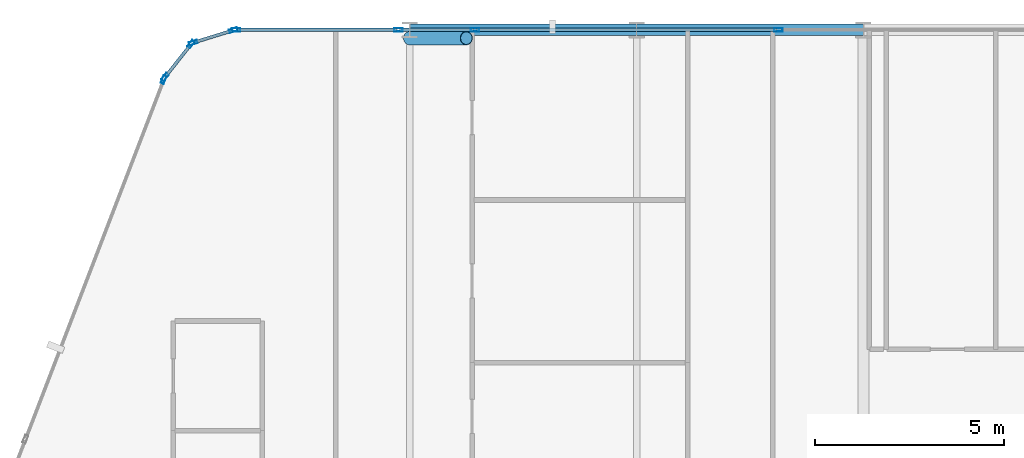
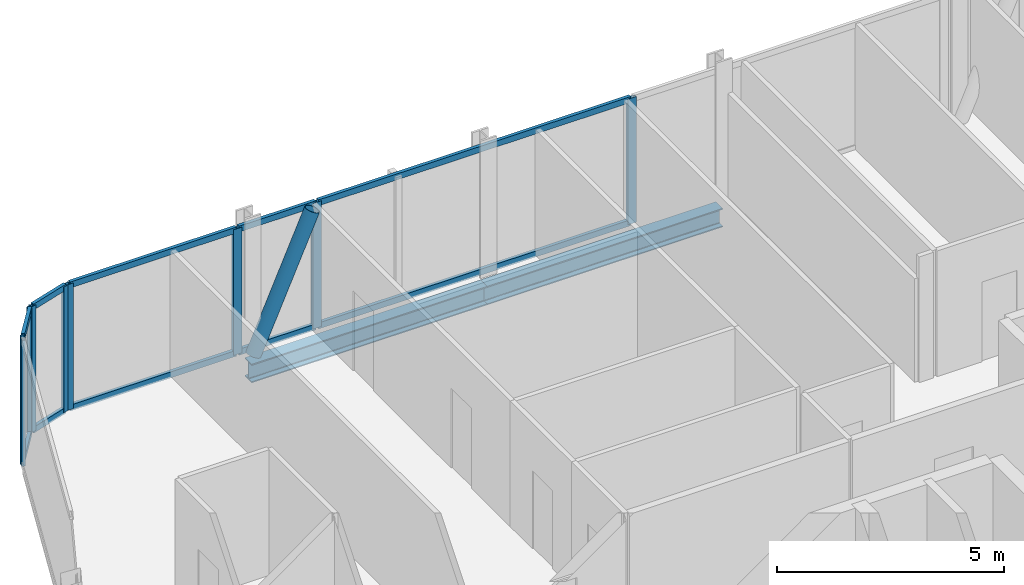
# One storey, part 13 of 34: 20 members, 2 beams, 6 elements without a shape of their own.
"""IFC4 building model written with IfcOpenShell, lengths in metres."""

from ifc_helpers import new_model, si_unit, direction, frame, origin, origin_2d, place, context, subcontext, project, spatial, hollow_rectangle, hollow_circle, i_section, extrude, material, layer, layer_set, material_profile, profile_set, type_object, element, aggregate, save


model = new_model("IFC4")

# Units and contexts
model_context = context("Model", 3, precision=1e-05, world=origin(), true_north=direction((0.0, 1.0)))
body_context = subcontext(model_context, "Body", "Model", "MODEL_VIEW")
ifc_project = project(units=[si_unit("LENGTHUNIT", "METRE"), si_unit("AREAUNIT", "SQUARE_METRE"), si_unit("VOLUMEUNIT", "CUBIC_METRE"), si_unit("PLANEANGLEUNIT", "RADIAN"), si_unit("MASSUNIT", "GRAM", prefix="KILO")], contexts=[model_context])

# Site, building, storey
site_placement = place(None, origin())
site = spatial("IfcSite", under=ifc_project, at=site_placement, CompositionType="ELEMENT")
building_placement = place(site_placement, origin())
building = spatial("IfcBuilding", under=site, at=building_placement, Name="Keshet Zoharim Tower", CompositionType="ELEMENT")
storey_placement = place(building_placement, frame((0.0, 0.0, 31.39990234375)))
storey = spatial("IfcBuildingStorey", under=building, at=storey_placement, Name="L06", CompositionType="ELEMENT", Elevation=31.39990234375)

# Beams
ifc_material_1 = material(Name="Steel S355", Category="steel")
ifc_material_profile_1 = material_profile(ifc_material_1, i_section(OverallWidth=0.300048828125, OverallDepth=0.5, WebThickness=0.014404296875, FlangeThickness=0.028076171875, FilletRadius=0.027099609375, at=origin_2d()), Name="HEB500")
ifc_profile_set_1 = profile_set([ifc_material_profile_1], Name="Steel S355")
beam_type = type_object("IfcBeamType", Name="BM-WEB-HB500", PredefinedType="BEAM", material=ifc_profile_set_1)
for number, where, z_axis, x_axis, name in (
    (1, (21.0, 53.89990234375, -0.56494140625), (1.0, 0.0, 0.0), (0.0, 1.0, 0.0), "L06 Primary Girder X-029"),
    (2, (27.0, 53.89990234375, -0.56494140625), (1.0, 0.0, 0.0), (0.0, 1.0, 0.0), "L06 Primary Girder X-030"),
):
    element("IfcBeam", number, at=place(storey_placement, frame(where, z_axis=z_axis, x_axis=x_axis)), inside=storey, type_object=beam_type, Name=name, PredefinedType="BEAM", context=body_context, shape_type="SweptSolid", body=[
        extrude(i_section(OverallWidth=0.300048828125, OverallDepth=0.5, WebThickness=0.014404296875, FlangeThickness=0.028076171875, FilletRadius=0.027099609375, at=origin_2d()), origin(), (0.0, 0.0, 1.0), 6.0),
    ])

# Curtain wall, member
ifc_material_2 = material(Name="Aluminium 6063-T6", Category="aluminium")
ifc_layer_1 = layer(ifc_material_2, 0.179931640625)
ifc_layer_set_1 = layer_set([ifc_layer_1], Name="Aluminium 6063-T6")
curtain_wall_type_1 = type_object("IfcCurtainWallType", Name="CW-SYS-01", PredefinedType="NOTDEFINED", material=ifc_layer_set_1)
curtain_wall_1_placement = place(storey_placement, origin())
curtain_wall_1 = element("IfcCurtainWall", 3, at=curtain_wall_1_placement, inside=storey, type_object=curtain_wall_type_1, Name="L06 Unitised Curtain Wall 04", PredefinedType="NOTDEFINED")
ifc_material_profile_2 = material_profile(ifc_material_2, hollow_rectangle(XDim=0.090087890625, YDim=0.219970703125, WallThickness=0.0048828125, at=origin_2d()), Name="MUL-90x220")
ifc_profile_set_2 = profile_set([ifc_material_profile_2], Name="Aluminium 6063-T6")
member_type_1 = type_object("IfcMemberType", Name="CWM-M22", PredefinedType="MULLION", material=ifc_profile_set_2)
member_1_placement = place(storey_placement, frame((14.494384765625, 52.58544921875, 0.0), z_axis=(0.0, 0.0, 1.0), x_axis=(-0.933341404361, 0.358990003907, 0.0)))
member_1 = element("IfcMember", 4, at=member_1_placement, type_object=member_type_1, Name="CW-01 mullion 4", PredefinedType="MULLION", context=body_context, shape_type="SweptSolid", body=[
    extrude(hollow_rectangle(XDim=0.090087890625, YDim=0.219970703125, WallThickness=0.0048828125, at=origin_2d()), origin(), (0.0, 0.0, 1.0), 3.385009765625),
])
aggregate(curtain_wall_1, [member_1])

# Curtain wall, members
curtain_wall_2_placement = place(storey_placement, origin())
curtain_wall_2 = element("IfcCurtainWall", 5, at=curtain_wall_2_placement, inside=storey, type_object=curtain_wall_type_1, Name="L06 Unitised Curtain Wall 05", PredefinedType="NOTDEFINED")
member_2_placement = place(storey_placement, frame((14.528564453125, 52.6455078125, 0.0), z_axis=(0.0, 0.0, 1.0), x_axis=(-0.785292825205, 0.619124525989, 0.0)))
member_2 = element("IfcMember", 6, at=member_2_placement, type_object=member_type_1, Name="CW-01 mullion 1", PredefinedType="MULLION", context=body_context, shape_type="SweptSolid", body=[
    extrude(hollow_rectangle(XDim=0.090087890625, YDim=0.219970703125, WallThickness=0.0048828125, at=origin_2d()), origin(), (0.0, 0.0, 1.0), 3.385009765625),
])
member_3_placement = place(storey_placement, frame((15.21923828125, 53.521484375, 0.0), z_axis=(0.0, 0.0, 1.0), x_axis=(-0.785292825205, 0.619124525989, 0.0)))
member_3 = element("IfcMember", 7, at=member_3_placement, type_object=member_type_1, Name="CW-01 mullion 2", PredefinedType="MULLION", context=body_context, shape_type="SweptSolid", body=[
    extrude(hollow_rectangle(XDim=0.090087890625, YDim=0.219970703125, WallThickness=0.0048828125, at=origin_2d()), origin(), (0.0, 0.0, 1.0), 3.385009765625),
])

curtain_wall_3_placement = place(storey_placement, origin())
curtain_wall_3 = element("IfcCurtainWall", 8, at=curtain_wall_3_placement, inside=storey, type_object=curtain_wall_type_1, Name="L06 Unitised Curtain Wall 06", PredefinedType="NOTDEFINED")
member_4_placement = place(storey_placement, frame((15.2744140625, 53.559326171875, 0.0), z_axis=(0.0, 0.0, 1.0), x_axis=(-0.295921857984, 0.955212151288, 0.0)))
member_4 = element("IfcMember", 9, at=member_4_placement, type_object=member_type_1, Name="CW-01 mullion 1", PredefinedType="MULLION", context=body_context, shape_type="SweptSolid", body=[
    extrude(hollow_rectangle(XDim=0.090087890625, YDim=0.219970703125, WallThickness=0.0048828125, at=origin_2d()), origin(), (0.0, 0.0, 1.0), 3.385009765625),
])
member_5_placement = place(storey_placement, frame((16.340576171875, 53.8896484375, 0.0), z_axis=(0.0, 0.0, 1.0), x_axis=(-0.295921857984, 0.955212151288, 0.0)))
member_5 = element("IfcMember", 10, at=member_5_placement, type_object=member_type_1, Name="CW-01 mullion 2", PredefinedType="MULLION", context=body_context, shape_type="SweptSolid", body=[
    extrude(hollow_rectangle(XDim=0.090087890625, YDim=0.219970703125, WallThickness=0.0048828125, at=origin_2d()), origin(), (0.0, 0.0, 1.0), 3.385009765625),
])

ifc_layer_2 = layer(ifc_material_2, 0.169921875)
ifc_layer_set_2 = layer_set([ifc_layer_2], Name="Aluminium 6063-T6")
curtain_wall_type_2 = type_object("IfcCurtainWallType", Name="CW-SYS-02", PredefinedType="NOTDEFINED", material=ifc_layer_set_2)
curtain_wall_4_placement = place(storey_placement, origin())
curtain_wall_4 = element("IfcCurtainWall", 11, at=curtain_wall_4_placement, inside=storey, type_object=curtain_wall_type_2, Name="L06 Unitised Curtain Wall 07", PredefinedType="NOTDEFINED")
member_6_placement = place(storey_placement, frame((16.408935546875, 53.89990234375, 0.0), z_axis=(0.0, 0.0, 1.0), x_axis=(0.0, 1.0, 0.0)))
member_6 = element("IfcMember", 12, at=member_6_placement, type_object=member_type_1, Name="CW-02 mullion 1", PredefinedType="MULLION", context=body_context, shape_type="SweptSolid", body=[
    extrude(hollow_rectangle(XDim=0.090087890625, YDim=0.219970703125, WallThickness=0.0048828125, at=origin_2d()), origin(), (0.0, 0.0, 1.0), 3.385009765625),
])
member_7_placement = place(storey_placement, frame((20.702392578125, 53.89990234375, 0.0), z_axis=(0.0, 0.0, 1.0), x_axis=(0.0, 1.0, 0.0)))
member_7 = element("IfcMember", 13, at=member_7_placement, type_object=member_type_1, Name="CW-02 mullion 2", PredefinedType="MULLION", context=body_context, shape_type="SweptSolid", body=[
    extrude(hollow_rectangle(XDim=0.090087890625, YDim=0.219970703125, WallThickness=0.0048828125, at=origin_2d()), origin(), (0.0, 0.0, 1.0), 3.385009765625),
])

# Curtain wall, member
curtain_wall_5_placement = place(storey_placement, origin())
curtain_wall_5 = element("IfcCurtainWall", 14, at=curtain_wall_5_placement, inside=storey, type_object=curtain_wall_type_2, Name="L06 Unitised Curtain Wall 07 Part 2", PredefinedType="NOTDEFINED")
member_8_placement = place(storey_placement, frame((22.7275390625, 53.89990234375, 0.0), z_axis=(0.0, 0.0, 1.0), x_axis=(0.0, 1.0, 0.0)))
member_8 = element("IfcMember", 15, at=member_8_placement, type_object=member_type_1, Name="CW-02 mullion 2", PredefinedType="MULLION", context=body_context, shape_type="SweptSolid", body=[
    extrude(hollow_rectangle(XDim=0.090087890625, YDim=0.219970703125, WallThickness=0.0048828125, at=origin_2d()), origin(), (0.0, 0.0, 1.0), 3.385009765625),
])

curtain_wall_6_placement = place(storey_placement, origin())
curtain_wall_6 = element("IfcCurtainWall", 16, at=curtain_wall_6_placement, inside=storey, type_object=curtain_wall_type_2, Name="L06 Unitised Curtain Wall 07 Part 3", PredefinedType="NOTDEFINED")
member_9_placement = place(storey_placement, frame((30.75, 53.89990234375, 0.0), z_axis=(0.0, 0.0, 1.0), x_axis=(0.0, 1.0, 0.0)))
member_9 = element("IfcMember", 17, at=member_9_placement, type_object=member_type_1, Name="CW-02 mullion 2", PredefinedType="MULLION", context=body_context, shape_type="SweptSolid", body=[
    extrude(hollow_rectangle(XDim=0.090087890625, YDim=0.219970703125, WallThickness=0.0048828125, at=origin_2d()), origin(), (0.0, 0.0, 1.0), 3.385009765625),
])

# Member
ifc_material_profile_3 = material_profile(ifc_material_2, hollow_rectangle(XDim=0.0849609375, YDim=0.159912109375, WallThickness=0.00439453125, at=origin_2d()), Name="TRN-85x160")
ifc_profile_set_3 = profile_set([ifc_material_profile_3], Name="Aluminium 6063-T6")
member_type_2 = type_object("IfcMemberType", Name="CWT-T16", PredefinedType="USERDEFINED", material=ifc_profile_set_3)
member_10_placement = place(storey_placement, frame((14.55029296875, 52.6728515625, 0.03515625), z_axis=(0.619099165969, 0.78531281837, 0.0), x_axis=(-0.78531281837, 0.619099165969, 0.0)))
member_10 = element("IfcMember", 18, at=member_10_placement, type_object=member_type_2, Name="CW-01 transom 1.1", ObjectType="TRANSOM", PredefinedType="USERDEFINED", context=body_context, shape_type="SweptSolid", body=[
    extrude(hollow_rectangle(XDim=0.0849609375, YDim=0.159912109375, WallThickness=0.00439453125, at=origin_2d()), origin(), (0.0, 0.0, 1.0), 1.0458984375),
])

member_11_placement = place(storey_placement, frame((14.55029296875, 52.6728515625, 3.35009765625), z_axis=(0.619099165969, 0.78531281837, 0.0), x_axis=(-0.78531281837, 0.619099165969, 0.0)))
member_11 = element("IfcMember", 19, at=member_11_placement, type_object=member_type_2, Name="CW-01 transom 1.2", ObjectType="TRANSOM", PredefinedType="USERDEFINED", context=body_context, shape_type="SweptSolid", body=[
    extrude(hollow_rectangle(XDim=0.0849609375, YDim=0.159912109375, WallThickness=0.00439453125, at=origin_2d()), origin(), (0.0, 0.0, 1.0), 1.0458984375),
])

aggregate(curtain_wall_2, [member_2, member_3, member_10, member_11])

member_12_placement = place(storey_placement, frame((15.307861328125, 53.56982421875, 0.03515625), z_axis=(0.955212093062, 0.295922045933, 0.0), x_axis=(-0.295922045933, 0.955212093062, 0.0)))
member_12 = element("IfcMember", 20, at=member_12_placement, type_object=member_type_2, Name="CW-01 transom 1.1", ObjectType="TRANSOM", PredefinedType="USERDEFINED", context=body_context, shape_type="SweptSolid", body=[
    extrude(hollow_rectangle(XDim=0.0849609375, YDim=0.159912109375, WallThickness=0.00439453125, at=origin_2d()), origin(), (0.0, 0.0, 1.0), 1.046142578125),
])

member_13_placement = place(storey_placement, frame((15.307861328125, 53.56982421875, 3.35009765625), z_axis=(0.955212093062, 0.295922045933, 0.0), x_axis=(-0.295922045933, 0.955212093062, 0.0)))
member_13 = element("IfcMember", 21, at=member_13_placement, type_object=member_type_2, Name="CW-01 transom 1.2", ObjectType="TRANSOM", PredefinedType="USERDEFINED", context=body_context, shape_type="SweptSolid", body=[
    extrude(hollow_rectangle(XDim=0.0849609375, YDim=0.159912109375, WallThickness=0.00439453125, at=origin_2d()), origin(), (0.0, 0.0, 1.0), 1.046142578125),
])

aggregate(curtain_wall_3, [member_4, member_5, member_12, member_13])

member_14_placement = place(storey_placement, frame((16.444091796875, 53.89990234375, 0.03515625), z_axis=(1.0, 0.0, 0.0), x_axis=(0.0, 1.0, 0.0)))
member_14 = element("IfcMember", 22, at=member_14_placement, type_object=member_type_2, Name="CW-02 transom 1.1", ObjectType="TRANSOM", PredefinedType="USERDEFINED", context=body_context, shape_type="SweptSolid", body=[
    extrude(hollow_rectangle(XDim=0.0849609375, YDim=0.159912109375, WallThickness=0.00439453125, at=origin_2d()), origin(), (0.0, 0.0, 1.0), 4.223388671875),
])

member_15_placement = place(storey_placement, frame((16.444091796875, 53.89990234375, 3.35009765625), z_axis=(1.0, 0.0, 0.0), x_axis=(0.0, 1.0, 0.0)))
member_15 = element("IfcMember", 23, at=member_15_placement, type_object=member_type_2, Name="CW-02 transom 1.2", ObjectType="TRANSOM", PredefinedType="USERDEFINED", context=body_context, shape_type="SweptSolid", body=[
    extrude(hollow_rectangle(XDim=0.0849609375, YDim=0.159912109375, WallThickness=0.00439453125, at=origin_2d()), origin(), (0.0, 0.0, 1.0), 4.223388671875),
])

aggregate(curtain_wall_4, [member_6, member_7, member_14, member_15])

member_16_placement = place(storey_placement, frame((20.7373046875, 53.89990234375, 0.03515625), z_axis=(1.0, 0.0, 0.0), x_axis=(0.0, 1.0, 0.0)))
member_16 = element("IfcMember", 24, at=member_16_placement, type_object=member_type_2, Name="CW-02 transom 1.1", ObjectType="TRANSOM", PredefinedType="USERDEFINED", context=body_context, shape_type="SweptSolid", body=[
    extrude(hollow_rectangle(XDim=0.0849609375, YDim=0.159912109375, WallThickness=0.00439453125, at=origin_2d()), origin(), (0.0, 0.0, 1.0), 1.955322265625),
])

member_17_placement = place(storey_placement, frame((20.7373046875, 53.89990234375, 3.35009765625), z_axis=(1.0, 0.0, 0.0), x_axis=(0.0, 1.0, 0.0)))
member_17 = element("IfcMember", 25, at=member_17_placement, type_object=member_type_2, Name="CW-02 transom 1.2", ObjectType="TRANSOM", PredefinedType="USERDEFINED", context=body_context, shape_type="SweptSolid", body=[
    extrude(hollow_rectangle(XDim=0.0849609375, YDim=0.159912109375, WallThickness=0.00439453125, at=origin_2d()), origin(), (0.0, 0.0, 1.0), 1.955322265625),
])

aggregate(curtain_wall_5, [member_8, member_16, member_17])

member_18_placement = place(storey_placement, frame((22.7626953125, 53.89990234375, 0.03515625), z_axis=(1.0, 0.0, 0.0), x_axis=(0.0, 1.0, 0.0)))
member_18 = element("IfcMember", 26, at=member_18_placement, type_object=member_type_2, Name="CW-02 transom 1.1", ObjectType="TRANSOM", PredefinedType="USERDEFINED", context=body_context, shape_type="SweptSolid", body=[
    extrude(hollow_rectangle(XDim=0.0849609375, YDim=0.159912109375, WallThickness=0.00439453125, at=origin_2d()), origin(), (0.0, 0.0, 1.0), 7.952392578125),
])

member_19_placement = place(storey_placement, frame((22.7626953125, 53.89990234375, 3.35009765625), z_axis=(1.0, 0.0, 0.0), x_axis=(0.0, 1.0, 0.0)))
member_19 = element("IfcMember", 27, at=member_19_placement, type_object=member_type_2, Name="CW-02 transom 1.2", ObjectType="TRANSOM", PredefinedType="USERDEFINED", context=body_context, shape_type="SweptSolid", body=[
    extrude(hollow_rectangle(XDim=0.0849609375, YDim=0.159912109375, WallThickness=0.00439453125, at=origin_2d()), origin(), (0.0, 0.0, 1.0), 7.952392578125),
])

aggregate(curtain_wall_6, [member_9, member_18, member_19])

ifc_material_profile_4 = material_profile(ifc_material_1, hollow_circle(Radius=0.177734375, WallThickness=0.012451171875, at=origin_2d()), Name="CHS355x12.5")
ifc_profile_set_4 = profile_set([ifc_material_profile_4], Name="Steel S355")
member_type_3 = type_object("IfcMemberType", Name="MB-BR-C355", PredefinedType="BRACE", material=ifc_profile_set_4)
member_20_placement = place(storey_placement, frame((21.0, 53.679931640625, 0.0), z_axis=(0.405134846829, 0.0, 0.91425694194), x_axis=(0.0, 1.0, 0.0)))
element("IfcMember", 28, at=member_20_placement, inside=storey, type_object=member_type_3, Name="L06 Perimeter Tube Brace 01", PredefinedType="BRACE", context=body_context, shape_type="SweptSolid", body=[
    extrude(hollow_circle(Radius=0.177734375, WallThickness=0.012451171875, at=origin_2d()), origin(), (0.0, 0.0, 1.0), 3.702392578125),
])

save(model, "model.ifc")
